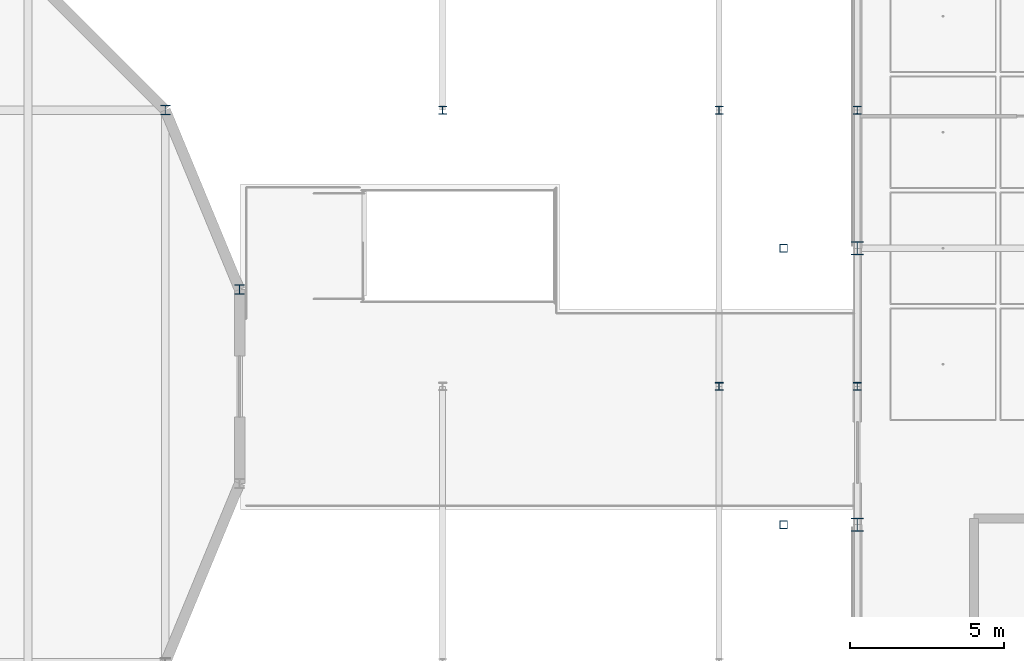
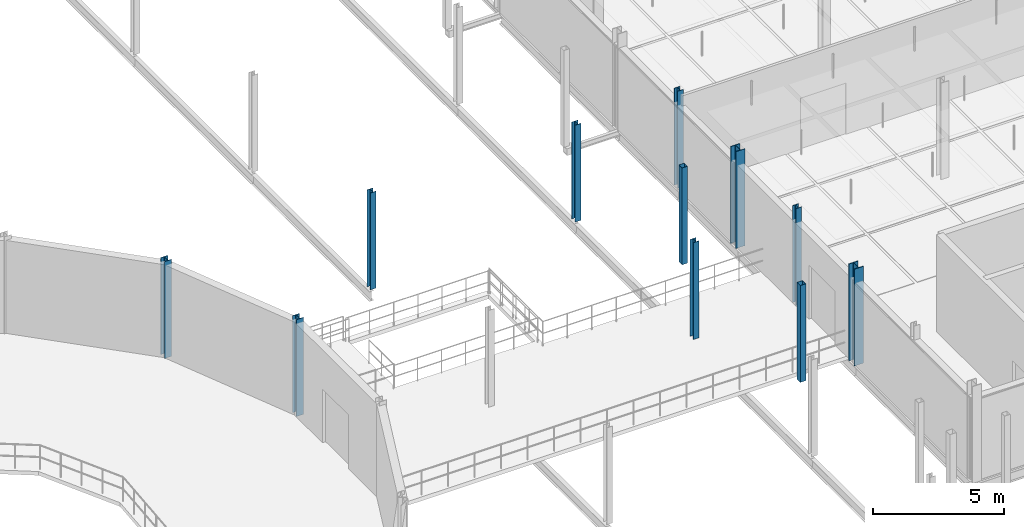
# One storey, part 3 of 130: 11 columns.
"""IFC4 building model written with IfcOpenShell, lengths in metres."""

from ifc_helpers import new_model, si_unit, direction, frame, origin, origin_2d, place, context, subcontext, project, spatial, hollow_rectangle, i_section, extrude, material, material_profile, profile_set, type_object, element, save


model = new_model("IFC4")

# Units and contexts
model_context = context("Model", 3, precision=1e-05, world=origin(), true_north=direction((0.0, 1.0)))
body_context = subcontext(model_context, "Body", "Model", "MODEL_VIEW")
ifc_project = project(units=[si_unit("LENGTHUNIT", "METRE"), si_unit("AREAUNIT", "SQUARE_METRE"), si_unit("VOLUMEUNIT", "CUBIC_METRE"), si_unit("PLANEANGLEUNIT", "RADIAN"), si_unit("MASSUNIT", "GRAM", prefix="KILO"), si_unit("THERMODYNAMICTEMPERATUREUNIT", "KELVIN"), si_unit("POWERUNIT", "WATT")], contexts=[model_context])

# Site, building, storey
site_placement = place(None, origin())
site = spatial("IfcSite", under=ifc_project, at=site_placement, CompositionType="ELEMENT")
building_placement = place(site_placement, origin())
building = spatial("IfcBuilding", under=site, at=building_placement, Name="Tallowbark Science Centre", CompositionType="ELEMENT")
storey_placement = place(building_placement, frame((0.0, 0.0, 5.39990234375)))
storey = spatial("IfcBuildingStorey", under=building, at=storey_placement, Name="L01", CompositionType="ELEMENT", Elevation=5.39990234375)

# Columns
ifc_material_1 = material(Name="White Architectural Painted Steel Grade C350L0 (350 MPa)", Category="steel")
ifc_material_profile_1 = material_profile(ifc_material_1, hollow_rectangle(XDim=0.25, YDim=0.25, WallThickness=0.009033203125, at=origin_2d()), Name="250x250x9.0SHS")
ifc_profile_set_1 = profile_set([ifc_material_profile_1], Name="White Architectural Painted Steel Grade C350L0 (350 MPa)")
column_type_1 = type_object("IfcColumnType", Name="COL-SCR200", PredefinedType="COLUMN", material=ifc_profile_set_1)
for number, where, z_axis, x_axis, name in (
    (1, (56.10009765625, 13.5, 0.0), (0.0, 0.0, 1.0), (1.0, 0.0, 0.0), "Column SCR-W02 L01"),
    (2, (56.10009765625, 22.5, 0.0), (0.0, 0.0, 1.0), (1.0, 0.0, 0.0), "Column SCR-W03 L01"),
):
    element("IfcColumn", number, at=place(storey_placement, frame(where, z_axis=z_axis, x_axis=x_axis)), inside=storey, type_object=column_type_1, Name=name, PredefinedType="COLUMN", context=body_context, shape_type="SweptSolid", body=[
        extrude(hollow_rectangle(XDim=0.25, YDim=0.25, WallThickness=0.009033203125, at=origin_2d()), origin(), (0.0, 0.0, 1.0), 4.5),
    ])
ifc_material_2 = material(Name="Structural Steel Grade 300PLUS (300 MPa)", Category="steel")
ifc_material_profile_2 = material_profile(ifc_material_2, i_section(OverallWidth=0.256103515625, OverallDepth=0.260009765625, WebThickness=0.010498046875, FlangeThickness=0.017333984375, FilletRadius=0.013916015625, at=origin_2d()), Name="250UC89.5")
ifc_profile_set_2 = profile_set([ifc_material_profile_2], Name="Structural Steel Grade 300PLUS (300 MPa)")
column_type_2 = type_object("IfcColumnType", Name="COL-UC250A", PredefinedType="COLUMN", material=ifc_profile_set_2)
for number, where, z_axis, x_axis, name in (
    (3, (54.0, 18.0, 0.0), (0.0, 0.0, 1.0), (1.0, 0.0, 0.0), "Column PAS-E02 L01"),
    (4, (45.0, 27.0, 0.0), (0.0, 0.0, 1.0), (1.0, 0.0, 0.0), "Column PAS-W03 L01"),
    (5, (54.0, 27.0, 0.0), (0.0, 0.0, 1.0), (1.0, 0.0, 0.0), "Column PAS-E03 L01"),
):
    element("IfcColumn", number, at=place(storey_placement, frame(where, z_axis=z_axis, x_axis=x_axis)), inside=storey, type_object=column_type_2, Name=name, PredefinedType="COLUMN", context=body_context, shape_type="SweptSolid", body=[
        extrude(i_section(OverallWidth=0.256103515625, OverallDepth=0.260009765625, WebThickness=0.010498046875, FlangeThickness=0.017333984375, FilletRadius=0.013916015625, at=origin_2d()), origin(), (0.0, 0.0, 1.0), 4.5),
    ])
ifc_material_profile_3 = material_profile(ifc_material_2, i_section(OverallWidth=0.39990234375, OverallDepth=0.427978515625, WebThickness=0.02001953125, FlangeThickness=0.028076171875, FilletRadius=0.01611328125, at=origin_2d()), Name="400WC270")
ifc_profile_set_3 = profile_set([ifc_material_profile_3], Name="Structural Steel Grade 300PLUS (300 MPa)")
column_type_3 = type_object("IfcColumnType", Name="COL-WC400", PredefinedType="COLUMN", material=ifc_profile_set_3)
for number, where, z_axis, x_axis, name in (
    (6, (58.5, 13.5, 0.0), (0.0, 0.0, 1.0), (1.0, 0.0, 0.0), "Column CUB-M0_1 L01"),
    (7, (58.5, 22.5, 0.0), (0.0, 0.0, 1.0), (1.0, 0.0, 0.0), "Column CUB-M0_2 L01"),
):
    element("IfcColumn", number, at=place(storey_placement, frame(where, z_axis=z_axis, x_axis=x_axis)), inside=storey, type_object=column_type_3, Name=name, PredefinedType="COLUMN", context=body_context, shape_type="SweptSolid", body=[
        extrude(i_section(OverallWidth=0.39990234375, OverallDepth=0.427978515625, WebThickness=0.02001953125, FlangeThickness=0.028076171875, FilletRadius=0.01611328125, at=origin_2d()), origin(), (0.0, 0.0, 1.0), 4.5),
    ])
ifc_material_profile_4 = material_profile(ifc_material_2, i_section(OverallWidth=0.256103515625, OverallDepth=0.260009765625, WebThickness=0.010498046875, FlangeThickness=0.017333984375, FilletRadius=0.013916015625, at=origin_2d()), Name="250UC89.5")
ifc_profile_set_4 = profile_set([ifc_material_profile_4], Name="Structural Steel Grade 300PLUS (300 MPa)")
column_type_4 = type_object("IfcColumnType", Name="PIL-UC250", PredefinedType="PILASTER", material=ifc_profile_set_4)
for number, where, z_axis, x_axis, name in (
    (8, (58.5, 18.0, 0.0), (0.0, 0.0, 1.0), (1.0, 0.0, 0.0), "Column CUB-PW-1 L01"),
    (9, (58.5, 27.0, 0.0), (0.0, 0.0, 1.0), (1.0, 0.0, 0.0), "Column CUB-PW-2 L01"),
):
    element("IfcColumn", number, at=place(storey_placement, frame(where, z_axis=z_axis, x_axis=x_axis)), inside=storey, type_object=column_type_4, Name=name, PredefinedType="PILASTER", context=body_context, shape_type="SweptSolid", body=[
        extrude(i_section(OverallWidth=0.256103515625, OverallDepth=0.260009765625, WebThickness=0.010498046875, FlangeThickness=0.017333984375, FilletRadius=0.013916015625, at=origin_2d()), origin(), (0.0, 0.0, 1.0), 4.5),
    ])
ifc_material_profile_5 = material_profile(ifc_material_2, i_section(OverallWidth=0.307373046875, OverallDepth=0.314697265625, WebThickness=0.011962890625, FlangeThickness=0.018798828125, FilletRadius=0.0166015625, at=origin_2d()), Name="310UC118")
ifc_profile_set_5 = profile_set([ifc_material_profile_5], Name="Structural Steel Grade 300PLUS (300 MPa)")
column_type_5 = type_object("IfcColumnType", Name="PIL-UC310", PredefinedType="PILASTER", material=ifc_profile_set_5)
for number, where, z_axis, x_axis, name in (
    (10, (38.388671875, 21.160400390625, 0.0), (0.0, 0.0, 1.0), (1.0, 0.0, 0.0), "Column DRM-P01 L01"),
    (11, (35.9697265625, 27.000244140625, 0.0), (0.0, 0.0, 1.0), (1.0, 0.0, 0.0), "Column DRM-P02 L01"),
):
    element("IfcColumn", number, at=place(storey_placement, frame(where, z_axis=z_axis, x_axis=x_axis)), inside=storey, type_object=column_type_5, Name=name, PredefinedType="PILASTER", context=body_context, shape_type="SweptSolid", body=[
        extrude(i_section(OverallWidth=0.307373046875, OverallDepth=0.314697265625, WebThickness=0.011962890625, FlangeThickness=0.018798828125, FilletRadius=0.0166015625, at=origin_2d()), origin(), (0.0, 0.0, 1.0), 4.5),
    ])

save(model, "model.ifc")
